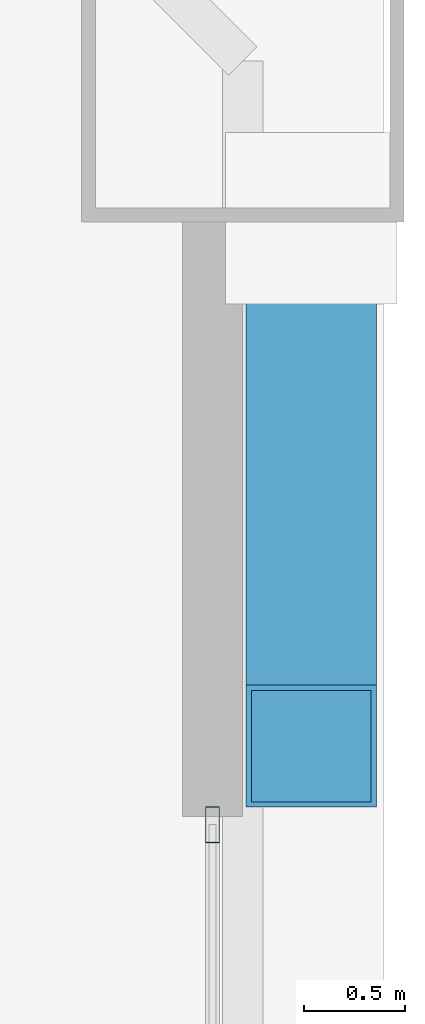
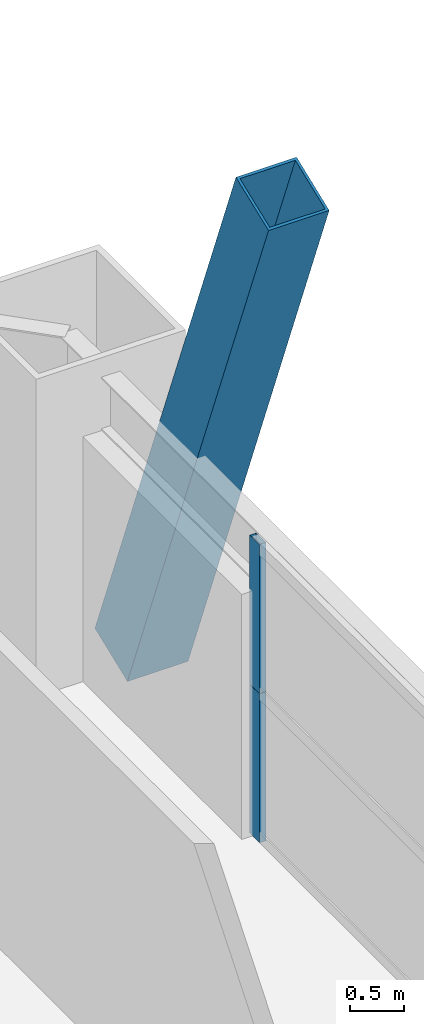
# One storey, part 32 of 41: 3 members, 1 element without a shape of its own.
"""IFC4 building model written with IfcOpenShell, lengths in metres."""

from ifc_helpers import new_model, si_unit, direction, frame, origin, origin_2d, place, context, subcontext, project, spatial, hollow_rectangle, extrude, source, transform, mapped, material, layer, layer_set, material_profile, profile_set, type_object, element, aggregate, save


model = new_model("IFC4")

# Units and contexts
model_context = context("Model", 3, precision=1e-05, world=origin(), true_north=direction((0.0, 1.0)))
body_context = subcontext(model_context, "Body", "Model", "MODEL_VIEW")
ifc_project = project(units=[si_unit("LENGTHUNIT", "METRE"), si_unit("AREAUNIT", "SQUARE_METRE"), si_unit("VOLUMEUNIT", "CUBIC_METRE"), si_unit("PLANEANGLEUNIT", "RADIAN"), si_unit("MASSUNIT", "GRAM", prefix="KILO"), si_unit("THERMODYNAMICTEMPERATUREUNIT", "KELVIN"), si_unit("POWERUNIT", "WATT")], contexts=[model_context])

# Site, building, storey
site_placement = place(None, origin())
site = spatial("IfcSite", under=ifc_project, at=site_placement, CompositionType="ELEMENT")
building_placement = place(site_placement, origin())
building = spatial("IfcBuilding", under=site, at=building_placement, Name="Yuzanri Waterfront Tower", CompositionType="ELEMENT")
storey_placement = place(building_placement, frame((0.0, 0.0, 115.39990234375)))
storey = spatial("IfcBuildingStorey", under=building, at=storey_placement, Name="L30", CompositionType="ELEMENT", Elevation=115.39990234375)

# Member
ifc_material_1 = material(Name="Steel Q420GJC", Category="steel")
ifc_material_profile_1 = material_profile(ifc_material_1, hollow_rectangle(XDim=0.64990234375, YDim=0.64990234375, WallThickness=0.028076171875, at=origin_2d()), Name="RHS 650x650x28")
ifc_profile_set_1 = profile_set([ifc_material_profile_1], Name="Steel Q420GJC")
member_type_1 = type_object("IfcMemberType", Name="Mega Brace Lower Q420GJC RHS 650x650x28", PredefinedType="BRACE", material=ifc_profile_set_1)
shared_shape_1 = source(origin(), body_context, "Body", "SweptSolid", [
    extrude(hollow_rectangle(XDim=0.64990234375, YDim=0.64990234375, WallThickness=0.028076171875, at=origin_2d()), origin(), (0.0, 0.0, 1.0), 7.194091796875),
])
member_1_placement = place(storey_placement, frame((60.93994140625, 45.02001953125, 0.18017578125), z_axis=(0.0, -0.36420612543, 0.931318365651), x_axis=(1.0, 0.0, 0.0)))
element("IfcMember", 1, at=member_1_placement, inside=storey, type_object=member_type_1, Name="L30-L31 Perimeter Mega-Brace E-R", PredefinedType="BRACE", context=body_context, shape_type="MappedRepresentation", body=[
    mapped(shared_shape_1, transform((0.0, 0.0, 0.0), scale=1.0)),
])

# Curtain wall, members
ifc_material_2 = material(Name="Anodized Architectural Bronze", Category="metal")
ifc_layer = layer(ifc_material_2, 0.159912109375)
ifc_layer_set = layer_set([ifc_layer], Name="Anodized Architectural Bronze")
curtain_wall_type = type_object("IfcCurtainWallType", Name="Anodized Bronze Hotel Upper-Tier Solar-Control Unitized Curtain Wall 7800", PredefinedType="NOTDEFINED", material=ifc_layer_set)
curtain_wall_placement = place(storey_placement, origin())
curtain_wall = element("IfcCurtainWall", 2, at=curtain_wall_placement, inside=storey, type_object=curtain_wall_type, Name="L30 Curtain Wall CW-L30-ER", PredefinedType="NOTDEFINED")
ifc_material_3 = material(Name="Anodized Architectural Bronze", Category="metal")
ifc_material_profile_2 = material_profile(ifc_material_3, hollow_rectangle(XDim=0.070068359375, YDim=0.179931640625, WallThickness=0.00390625, at=origin_2d()), Name="CWM 70x180")
ifc_profile_set_2 = profile_set([ifc_material_profile_2], Name="Anodized Architectural Bronze")
member_type_2 = type_object("IfcMemberType", Name="Anodized Bronze Standard Curtain-Wall Mullion 70x180", PredefinedType="MULLION", material=ifc_profile_set_2)
shared_shape_2 = source(origin(), body_context, "Body", "SweptSolid", [
    extrude(hollow_rectangle(XDim=0.070068359375, YDim=0.179931640625, WallThickness=0.00390625, at=origin_2d()), origin(), (0.0, 0.0, 1.0), 1.68798828125),
])
member_2_placement = place(storey_placement, frame((60.449951171875, 42.010009765625, 0.0), z_axis=(0.0, 0.0, 1.0), x_axis=(1.0, 0.0, 0.0)))
member_2 = element("IfcMember", 3, at=member_2_placement, type_object=member_type_2, Name="CW-L30-ER Lower Mullion 02", PredefinedType="MULLION", context=body_context, shape_type="MappedRepresentation", body=[
    mapped(shared_shape_2, transform((0.0, 0.0, 0.0), scale=1.0)),
])
member_3_placement = place(storey_placement, frame((60.449951171875, 42.010009765625, 1.692138671875), z_axis=(0.0, 0.0, 1.0), x_axis=(1.0, 0.0, 0.0)))
member_3 = element("IfcMember", 4, at=member_3_placement, type_object=member_type_2, Name="CW-L30-ER Upper Mullion 02", PredefinedType="MULLION", context=body_context, shape_type="MappedRepresentation", body=[
    mapped(shared_shape_2, transform((0.0, 0.0, 0.0), scale=1.0)),
])
aggregate(curtain_wall, [member_2, member_3])

save(model, "model.ifc")
